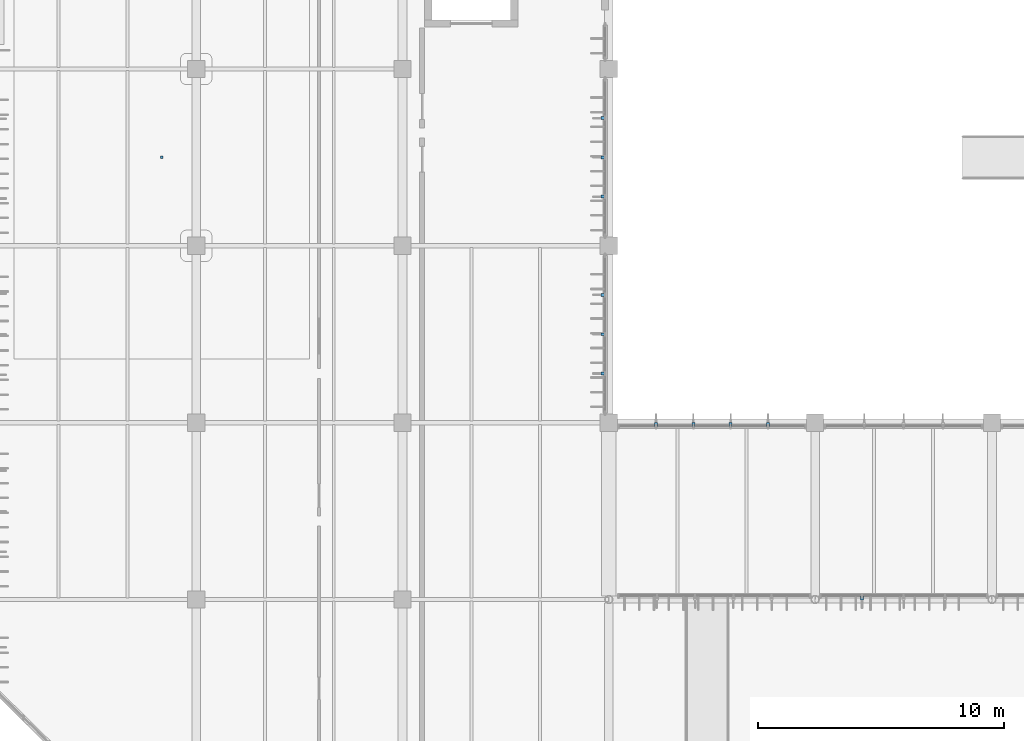
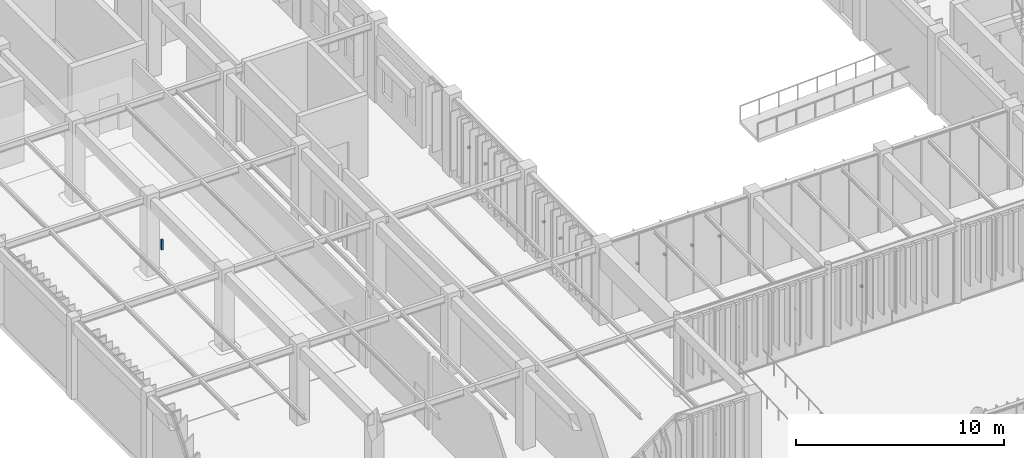
# One storey, part 45 of 122: 12 discrete accessories.
"""IFC4 building model written with IfcOpenShell, lengths in metres."""

from ifc_helpers import new_model, si_unit, direction, frame, origin, origin_2d, place, context, subcontext, project, spatial, rectangle, extrude, material, type_object, element, save


model = new_model("IFC4")

# Units and contexts
model_context = context("Model", 3, precision=1e-05, world=origin(), true_north=direction((0.0, 1.0)))
body_context = subcontext(model_context, "Body", "Model", "MODEL_VIEW")
ifc_project = project(units=[si_unit("LENGTHUNIT", "METRE"), si_unit("AREAUNIT", "SQUARE_METRE"), si_unit("VOLUMEUNIT", "CUBIC_METRE"), si_unit("PLANEANGLEUNIT", "RADIAN"), si_unit("MASSUNIT", "GRAM", prefix="KILO")], contexts=[model_context])

# Site, building, storey
site_placement = place(None, origin())
site = spatial("IfcSite", under=ifc_project, at=site_placement, CompositionType="ELEMENT")
building_placement = place(site_placement, origin())
building = spatial("IfcBuilding", under=site, at=building_placement, Name="Tazoul Stagehouse", CompositionType="ELEMENT")
storey_placement = place(building_placement, origin())
storey = spatial("IfcBuildingStorey", under=building, at=storey_placement, Name="L00", CompositionType="ELEMENT", Elevation=0.0)

# Discrete accessories
ifc_material = material(Name="Austenitic Stainless Steel EN 1.4401", Category="steel")
discrete_accessory_type_1 = type_object("IfcDiscreteAccessoryType", Name="Interior Acoustic Hanger Bracket", PredefinedType="BRACKET", material=ifc_material)
discrete_accessory_placement = place(storey_placement, frame((9.39990234375, 62.60009765625, 3.97998046875), z_axis=(0.0, 0.0, 1.0), x_axis=(1.0, 0.0, 0.0)))
element("IfcDiscreteAccessory", 1, at=discrete_accessory_placement, inside=storey, type_object=discrete_accessory_type_1, Name="L00 Experimental Exhibition Hall Ceiling Suspension Bracket", PredefinedType="BRACKET", context=body_context, shape_type="SweptSolid", body=[
    extrude(rectangle(XDim=0.10009765625, YDim=0.10009765625, at=origin_2d()), origin(), (0.0, 0.0, 1.0), 0.590087890625),
])
discrete_accessory_type_2 = type_object("IfcDiscreteAccessoryType", Name="Stainless Steel Louvre Support Cleat Bracket", PredefinedType="BRACKET", material=ifc_material)
for number, where, z_axis, x_axis, name in (
    (2, (27.3701171875, 53.800048828125, 2.66064453125), (0.0, 0.0, 1.0), (0.0, 1.0, 0.0), "Cleat Bracket BRK-01 CW-V6-E1-L00-B1-BRK01"),
    (3, (27.3701171875, 55.39990234375, 2.66064453125), (0.0, 0.0, 1.0), (0.0, 1.0, 0.0), "Cleat Bracket BRK-01 CW-V6-E1-L00-B1-BRK02"),
    (4, (27.3701171875, 57.0, 2.66064453125), (0.0, 0.0, 1.0), (0.0, 1.0, 0.0), "Cleat Bracket BRK-01 CW-V6-E1-L00-B1-BRK03"),
    (5, (27.3701171875, 61.0, 2.66064453125), (0.0, 0.0, 1.0), (0.0, 1.0, 0.0), "Cleat Bracket BRK-01 CW-V6-E1-L00-B2-BRK01"),
    (6, (27.3701171875, 62.60009765625, 2.66064453125), (0.0, 0.0, 1.0), (0.0, 1.0, 0.0), "Cleat Bracket BRK-01 CW-V6-E1-L00-B2-BRK02"),
    (7, (27.3701171875, 64.199951171875, 2.66064453125), (0.0, 0.0, 1.0), (0.0, 1.0, 0.0), "Cleat Bracket BRK-01 CW-V6-E1-L00-B2-BRK03"),
    (8, (37.906005859375, 44.669921875, 2.66064453125), (0.0, 0.0, 1.0), (1.0, 0.0, 0.0), "Cleat Bracket BRK-01 CW-WLNK-S-L00-B2-BRK01"),
    (9, (29.52001953125, 51.72998046875, 2.66064453125), (0.0, 0.0, 1.0), (1.0, 0.0, 0.0), "Cleat Bracket BRK-01 CW-WLNK-N-L00-B1-BRK01"),
    (10, (31.0400390625, 51.72998046875, 2.66064453125), (0.0, 0.0, 1.0), (1.0, 0.0, 0.0), "Cleat Bracket BRK-01 CW-WLNK-N-L00-B1-BRK02"),
    (11, (32.56005859375, 51.72998046875, 2.66064453125), (0.0, 0.0, 1.0), (1.0, 0.0, 0.0), "Cleat Bracket BRK-01 CW-WLNK-N-L00-B1-BRK03"),
    (12, (34.080078125, 51.72998046875, 2.66064453125), (0.0, 0.0, 1.0), (1.0, 0.0, 0.0), "Cleat Bracket BRK-01 CW-WLNK-N-L00-B1-BRK04"),
):
    element("IfcDiscreteAccessory", number, at=place(storey_placement, frame(where, z_axis=z_axis, x_axis=x_axis)), inside=storey, type_object=discrete_accessory_type_2, Name=name, PredefinedType="BRACKET", context=body_context, shape_type="SweptSolid", body=[
        extrude(rectangle(XDim=0.1201171875, YDim=0.159912109375, at=origin_2d()), origin(), (0.0, 0.0, 1.0), 0.1201171875),
    ])

save(model, "model.ifc")
